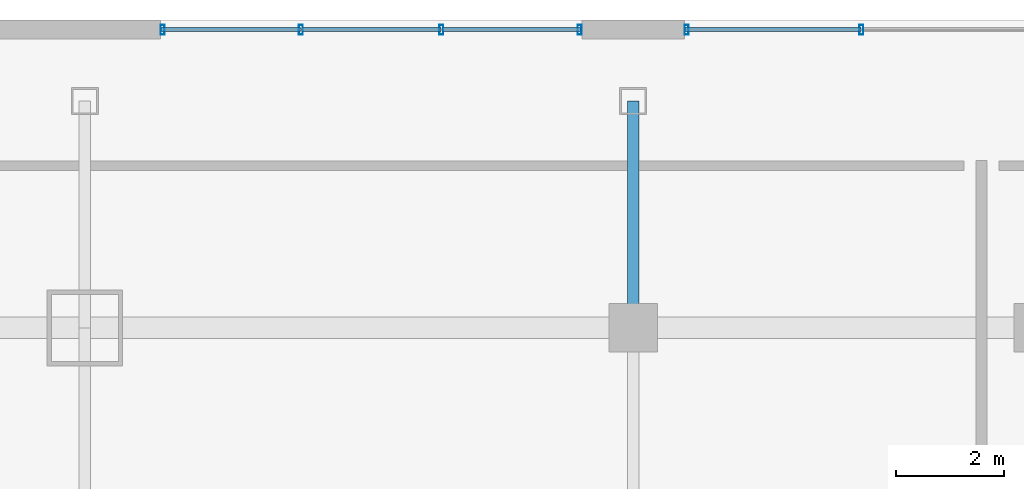
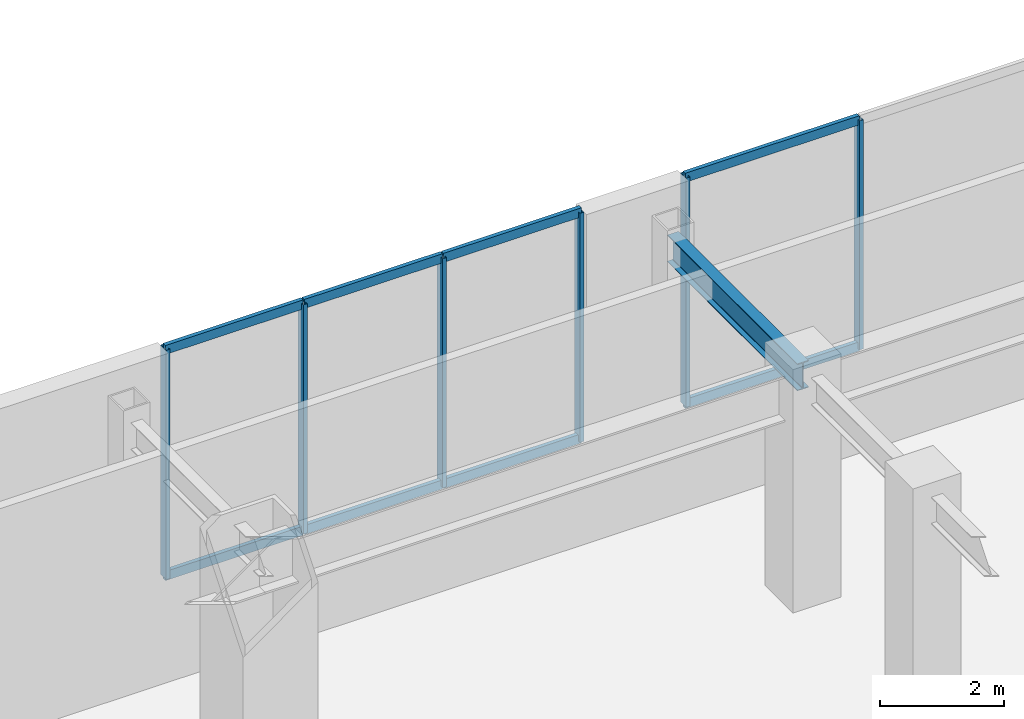
# One storey, part 4 of 16: 14 members, 1 beam, 2 elements without a shape of their own.
"""IFC4 building model written with IfcOpenShell, lengths in metres."""

from ifc_helpers import new_model, si_unit, direction, frame, origin, origin_2d, place, context, subcontext, project, spatial, hollow_rectangle, i_section, extrude, material, material_profile, profile_set, type_object, element, aggregate, save


model = new_model("IFC4")

# Units and contexts
model_context = context("Model", 3, precision=1e-05, world=origin(), true_north=direction((0.0, 1.0)))
body_context = subcontext(model_context, "Body", "Model", "MODEL_VIEW")
ifc_project = project(units=[si_unit("LENGTHUNIT", "METRE"), si_unit("AREAUNIT", "SQUARE_METRE"), si_unit("VOLUMEUNIT", "CUBIC_METRE"), si_unit("PLANEANGLEUNIT", "RADIAN"), si_unit("MASSUNIT", "GRAM", prefix="KILO")], contexts=[model_context])

# Site, building, storey
site_placement = place(None, origin())
site = spatial("IfcSite", under=ifc_project, at=site_placement, CompositionType="ELEMENT")
building_placement = place(site_placement, origin())
building = spatial("IfcBuilding", under=site, at=building_placement, Name="Ventersveld Concourse Tower", CompositionType="ELEMENT")
storey_placement = place(building_placement, frame((0.0, 0.0, 10.199951171875)))
storey = spatial("IfcBuildingStorey", under=building, at=storey_placement, Name="L02", CompositionType="ELEMENT", Elevation=10.199951171875)

# Curtain wall, members
ifc_material_1 = material(Name="Anodised aluminium EN AW-6063-T6", Category="aluminium")
curtain_wall_type = type_object("IfcCurtainWallType", Name="CW-POD-2", PredefinedType="NOTDEFINED", material=ifc_material_1)
curtain_wall_1_placement = place(storey_placement, origin())
curtain_wall_1 = element("IfcCurtainWall", 1, at=curtain_wall_1_placement, inside=storey, type_object=curtain_wall_type, Name="L02 L02 Podium Gallery Curtain Wall 1", PredefinedType="NOTDEFINED")
ifc_material_profile_1 = material_profile(ifc_material_1, hollow_rectangle(XDim=0.074951171875, YDim=0.179931640625, WallThickness=0.00390625, at=origin_2d()), Name="ALU 180x75x4")
ifc_profile_set_1 = profile_set([ifc_material_profile_1], Name="Anodised aluminium EN AW-6063-T6")
member_type_1 = type_object("IfcMemberType", Name="CWM-180x75", PredefinedType="MULLION", material=ifc_profile_set_1)
member_1_placement = place(storey_placement, frame((5.0400390625, 49.52001953125, 0.0), z_axis=(0.0, 0.0, 1.0), x_axis=(1.0, 0.0, 0.0)))
member_1 = element("IfcMember", 2, at=member_1_placement, type_object=member_type_1, Name="CW-L02-N1 Mullion 01", PredefinedType="MULLION", context=body_context, shape_type="SweptSolid", body=[
    extrude(hollow_rectangle(XDim=0.074951171875, YDim=0.179931640625, WallThickness=0.00390625, at=origin_2d()), origin(), (0.0, 0.0, 1.0), 4.52001953125),
])
member_2_placement = place(storey_placement, frame((7.60009765625, 49.52001953125, 0.0), z_axis=(0.0, 0.0, 1.0), x_axis=(1.0, 0.0, 0.0)))
member_2 = element("IfcMember", 3, at=member_2_placement, type_object=member_type_1, Name="CW-L02-N1 Mullion 02", PredefinedType="MULLION", context=body_context, shape_type="SweptSolid", body=[
    extrude(hollow_rectangle(XDim=0.074951171875, YDim=0.179931640625, WallThickness=0.00390625, at=origin_2d()), origin(), (0.0, 0.0, 1.0), 4.52001953125),
])
member_3_placement = place(storey_placement, frame((10.199951171875, 49.52001953125, 0.0), z_axis=(0.0, 0.0, 1.0), x_axis=(1.0, 0.0, 0.0)))
member_3 = element("IfcMember", 4, at=member_3_placement, type_object=member_type_1, Name="CW-L02-N1 Mullion 03", PredefinedType="MULLION", context=body_context, shape_type="SweptSolid", body=[
    extrude(hollow_rectangle(XDim=0.074951171875, YDim=0.179931640625, WallThickness=0.00390625, at=origin_2d()), origin(), (0.0, 0.0, 1.0), 4.52001953125),
])
member_4_placement = place(storey_placement, frame((12.760009765625, 49.52001953125, 0.0), z_axis=(0.0, 0.0, 1.0), x_axis=(1.0, 0.0, 0.0)))
member_4 = element("IfcMember", 5, at=member_4_placement, type_object=member_type_1, Name="CW-L02-N1 Mullion 04", PredefinedType="MULLION", context=body_context, shape_type="SweptSolid", body=[
    extrude(hollow_rectangle(XDim=0.074951171875, YDim=0.179931640625, WallThickness=0.00390625, at=origin_2d()), origin(), (0.0, 0.0, 1.0), 4.52001953125),
])

curtain_wall_2_placement = place(storey_placement, origin())
curtain_wall_2 = element("IfcCurtainWall", 6, at=curtain_wall_2_placement, inside=storey, type_object=curtain_wall_type, Name="L02 L02 Podium Gallery Curtain Wall 2", PredefinedType="NOTDEFINED")
member_5_placement = place(storey_placement, frame((14.739990234375, 49.52001953125, 0.0), z_axis=(0.0, 0.0, 1.0), x_axis=(1.0, 0.0, 0.0)))
member_5 = element("IfcMember", 7, at=member_5_placement, type_object=member_type_1, Name="CW-L02-N2 Mullion 01", PredefinedType="MULLION", context=body_context, shape_type="SweptSolid", body=[
    extrude(hollow_rectangle(XDim=0.074951171875, YDim=0.179931640625, WallThickness=0.00390625, at=origin_2d()), origin(), (0.0, 0.0, 1.0), 4.52001953125),
])
member_6_placement = place(storey_placement, frame((17.97509765625, 49.52001953125, 0.0), z_axis=(0.0, 0.0, 1.0), x_axis=(1.0, 0.0, 0.0)))
member_6 = element("IfcMember", 8, at=member_6_placement, type_object=member_type_1, Name="CW-L02-N2 Mullion 02", PredefinedType="MULLION", context=body_context, shape_type="SweptSolid", body=[
    extrude(hollow_rectangle(XDim=0.074951171875, YDim=0.179931640625, WallThickness=0.00390625, at=origin_2d()), origin(), (0.0, 0.0, 1.0), 4.52001953125),
])

# Member
ifc_material_profile_2 = material_profile(ifc_material_1, hollow_rectangle(XDim=0.074951171875, YDim=0.179931640625, WallThickness=0.00390625, at=origin_2d()), Name="ALU 180x75x4")
ifc_profile_set_2 = profile_set([ifc_material_profile_2], Name="Anodised aluminium EN AW-6063-T6")
member_type_2 = type_object("IfcMemberType", Name="CWT-180x75", PredefinedType="USERDEFINED", material=ifc_profile_set_2)
member_7_placement = place(storey_placement, frame((5.02001953125, 49.52001953125, 0.030029296875), z_axis=(1.0, 0.0, 0.0), x_axis=(0.0, 1.0, 0.0)))
member_7 = element("IfcMember", 9, at=member_7_placement, type_object=member_type_2, Name="CW-L02-N1 Transom 1-01", ObjectType="TRANSOM", PredefinedType="USERDEFINED", context=body_context, shape_type="SweptSolid", body=[
    extrude(hollow_rectangle(XDim=0.074951171875, YDim=0.179931640625, WallThickness=0.00390625, at=origin_2d()), origin(), (0.0, 0.0, 1.0), 2.570068359375),
])

member_8_placement = place(storey_placement, frame((7.610107421875, 49.52001953125, 0.030029296875), z_axis=(1.0, 0.0, 0.0), x_axis=(0.0, 1.0, 0.0)))
member_8 = element("IfcMember", 10, at=member_8_placement, type_object=member_type_2, Name="CW-L02-N1 Transom 1-02", ObjectType="TRANSOM", PredefinedType="USERDEFINED", context=body_context, shape_type="SweptSolid", body=[
    extrude(hollow_rectangle(XDim=0.074951171875, YDim=0.179931640625, WallThickness=0.00390625, at=origin_2d()), origin(), (0.0, 0.0, 1.0), 2.579833984375),
])

member_9_placement = place(storey_placement, frame((10.2099609375, 49.52001953125, 0.030029296875), z_axis=(1.0, 0.0, 0.0), x_axis=(0.0, 1.0, 0.0)))
member_9 = element("IfcMember", 11, at=member_9_placement, type_object=member_type_2, Name="CW-L02-N1 Transom 1-03", ObjectType="TRANSOM", PredefinedType="USERDEFINED", context=body_context, shape_type="SweptSolid", body=[
    extrude(hollow_rectangle(XDim=0.074951171875, YDim=0.179931640625, WallThickness=0.00390625, at=origin_2d()), origin(), (0.0, 0.0, 1.0), 2.570068359375),
])

member_10_placement = place(storey_placement, frame((5.02001953125, 49.52001953125, 4.489990234375), z_axis=(1.0, 0.0, 0.0), x_axis=(0.0, 1.0, 0.0)))
member_10 = element("IfcMember", 12, at=member_10_placement, type_object=member_type_2, Name="CW-L02-N1 Transom 2-01", ObjectType="TRANSOM", PredefinedType="USERDEFINED", context=body_context, shape_type="SweptSolid", body=[
    extrude(hollow_rectangle(XDim=0.074951171875, YDim=0.179931640625, WallThickness=0.00390625, at=origin_2d()), origin(), (0.0, 0.0, 1.0), 2.570068359375),
])

member_11_placement = place(storey_placement, frame((7.610107421875, 49.52001953125, 4.489990234375), z_axis=(1.0, 0.0, 0.0), x_axis=(0.0, 1.0, 0.0)))
member_11 = element("IfcMember", 13, at=member_11_placement, type_object=member_type_2, Name="CW-L02-N1 Transom 2-02", ObjectType="TRANSOM", PredefinedType="USERDEFINED", context=body_context, shape_type="SweptSolid", body=[
    extrude(hollow_rectangle(XDim=0.074951171875, YDim=0.179931640625, WallThickness=0.00390625, at=origin_2d()), origin(), (0.0, 0.0, 1.0), 2.579833984375),
])

member_12_placement = place(storey_placement, frame((10.2099609375, 49.52001953125, 4.489990234375), z_axis=(1.0, 0.0, 0.0), x_axis=(0.0, 1.0, 0.0)))
member_12 = element("IfcMember", 14, at=member_12_placement, type_object=member_type_2, Name="CW-L02-N1 Transom 2-03", ObjectType="TRANSOM", PredefinedType="USERDEFINED", context=body_context, shape_type="SweptSolid", body=[
    extrude(hollow_rectangle(XDim=0.074951171875, YDim=0.179931640625, WallThickness=0.00390625, at=origin_2d()), origin(), (0.0, 0.0, 1.0), 2.570068359375),
])

aggregate(curtain_wall_1, [member_1, member_2, member_3, member_4, member_7, member_8, member_9, member_10, member_11, member_12])

member_13_placement = place(storey_placement, frame((14.719970703125, 49.52001953125, 0.030029296875), z_axis=(1.0, 0.0, 0.0), x_axis=(0.0, 1.0, 0.0)))
member_13 = element("IfcMember", 15, at=member_13_placement, type_object=member_type_2, Name="CW-L02-N2 Transom 1-01", ObjectType="TRANSOM", PredefinedType="USERDEFINED", context=body_context, shape_type="SweptSolid", body=[
    extrude(hollow_rectangle(XDim=0.074951171875, YDim=0.179931640625, WallThickness=0.00390625, at=origin_2d()), origin(), (0.0, 0.0, 1.0), 3.2451171875),
])

member_14_placement = place(storey_placement, frame((14.719970703125, 49.52001953125, 4.489990234375), z_axis=(1.0, 0.0, 0.0), x_axis=(0.0, 1.0, 0.0)))
member_14 = element("IfcMember", 16, at=member_14_placement, type_object=member_type_2, Name="CW-L02-N2 Transom 2-01", ObjectType="TRANSOM", PredefinedType="USERDEFINED", context=body_context, shape_type="SweptSolid", body=[
    extrude(hollow_rectangle(XDim=0.074951171875, YDim=0.179931640625, WallThickness=0.00390625, at=origin_2d()), origin(), (0.0, 0.0, 1.0), 3.2451171875),
])

aggregate(curtain_wall_2, [member_5, member_6, member_13, member_14])

# Beam
ifc_material_2 = material(Name="Structural steel S355J2", Category="steel")
ifc_material_profile_3 = material_profile(ifc_material_2, i_section(OverallWidth=0.209228515625, OverallDepth=0.533203125, WebThickness=0.010009765625, FlangeThickness=0.015625, FilletRadius=0.0126953125, at=origin_2d()), Name="UB 533x210x92")
ifc_profile_set_3 = profile_set([ifc_material_profile_3], Name="Structural steel S355J2")
beam_type = type_object("IfcBeamType", Name="GRD-UB533", PredefinedType="T_BEAM", material=ifc_profile_set_3)
beam_placement = place(storey_placement, frame((13.75, 44.0, 4.253662109375), z_axis=(0.0, 1.0, 0.0), x_axis=(-1.0, 0.0, 0.0)))
element("IfcBeam", 17, at=beam_placement, inside=storey, type_object=beam_type, Name="L02 Podium N-S Girder X=13.75m", PredefinedType="T_BEAM", context=body_context, shape_type="SweptSolid", body=[
    extrude(i_section(OverallWidth=0.209228515625, OverallDepth=0.533203125, WebThickness=0.010009765625, FlangeThickness=0.015625, FilletRadius=0.0126953125, at=origin_2d()), origin(), (0.0, 0.0, 1.0), 4.199951171875),
])

save(model, "model.ifc")
